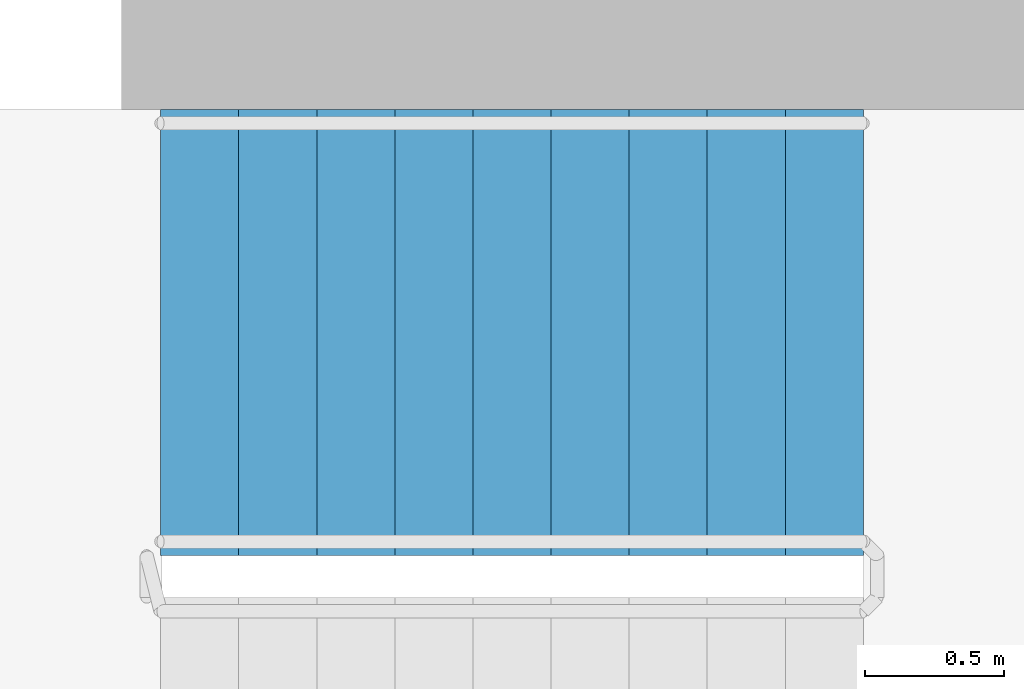
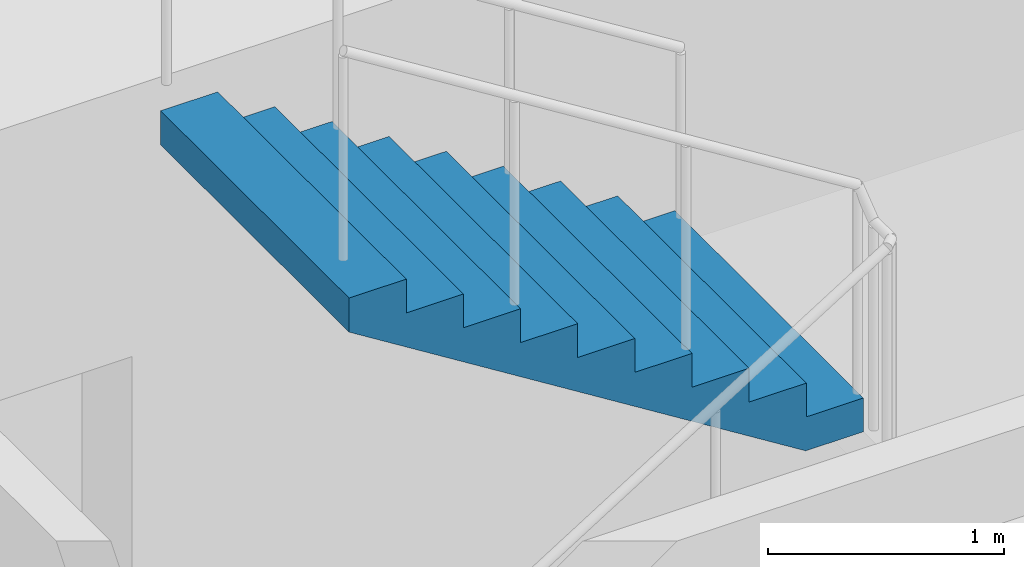
# One storey, part 21 of 25: 1 stair flight, 1 element without a shape of its own.
"""IFC4 building model written with IfcOpenShell, lengths in metres."""

import ifcopenshell
import ifcopenshell.guid

model = None  # the IFC model being written
_history = None  # IfcOwnerHistory: only IFC2X3 demands one
_inside = {}  # id of a spatial element -> (the spatial element, [elements in it])
_under = {}  # id of a project, library or spatial element -> (it, [spatial elements below it])
_declared = {}  # id of a project -> (the project, [libraries it declares])
_typed = {}  # id of a type object -> (the type object, [elements of that type])
_made_of = {}  # id of a material, layer set ... -> (it, [elements and type objects made of it])


def new_model(schema):
    """Start an empty IFC model of exactly this schema.

    Asked for "IFC4X3", IfcOpenShell would pick the latest addendum, in which some entities
    have other attributes; the version numbers below select the first issue.
    IFC2X3 requires an IfcOwnerHistory on every rooted entity: one is made here for all.
    """
    global model, _history
    if schema == "IFC4X3":
        model = ifcopenshell.file(schema_version=(4, 3, 0, 0))
    else:
        model = ifcopenshell.file(schema=schema)
    _inside.clear()
    _under.clear()
    _declared.clear()
    _typed.clear()
    _made_of.clear()
    _history = None
    if model.schema == "IFC2X3":
        org = make("IfcOrganization", Name="unknown")
        user = make(
            "IfcPersonAndOrganization",
            ThePerson=make("IfcPerson", FamilyName="unknown"),
            TheOrganization=org,
        )
        app = make(
            "IfcApplication",
            ApplicationDeveloper=org,
            Version="unknown",
            ApplicationFullName="unknown",
            ApplicationIdentifier="unknown",
        )
        _history = make(
            "IfcOwnerHistory",
            OwningUser=user,
            OwningApplication=app,
            ChangeAction="ADDED",
            CreationDate=0,
        )
    return model


def make(cls, **values):
    """One entity of the class cls with the attributes given. An attribute that is None is left unset."""
    return model.create_entity(
        cls, **{name: value for name, value in values.items() if value is not None}
    )


def rooted(cls, **values):
    """An entity with a GlobalId (a new one), such as an element, a storey or a relation."""
    return make(cls, GlobalId=ifcopenshell.guid.new(), OwnerHistory=_history, **values)


def si_unit(unit_type, name, prefix=None):
    """IfcSIUnit, for example si_unit("LENGTHUNIT", "METRE", prefix="MILLI")."""
    return make("IfcSIUnit", UnitType=unit_type, Prefix=prefix, Name=name)


def assignment(units):
    """IfcUnitAssignment: the units of a project."""
    return None if units is None else make("IfcUnitAssignment", Units=units)


def point(xyz):
    """IfcCartesianPoint."""
    return None if xyz is None else make("IfcCartesianPoint", Coordinates=xyz)


def direction(xyz):
    """IfcDirection."""
    return None if xyz is None else make("IfcDirection", DirectionRatios=xyz)


def frame(location, z_axis=None, x_axis=None):
    """IfcAxis2Placement3D, a coordinate frame: its origin and axes. An axis left out is left unset."""
    return make(
        "IfcAxis2Placement3D",
        Location=point(location),
        Axis=direction(z_axis),
        RefDirection=direction(x_axis),
    )


def origin():
    """The frame at (0, 0, 0) with its axes left unset."""
    return frame((0.0, 0.0, 0.0))


def place(relative_to, where):
    """IfcLocalPlacement: puts the frame where relative to a parent placement (None: the world)."""
    return make(
        "IfcLocalPlacement", PlacementRelTo=relative_to, RelativePlacement=where
    )


def context(
    kind, dimensions, precision=None, world=None, true_north=None, identifier=None
):
    """IfcGeometricRepresentationContext, for example the 3D "Model" context."""
    return make(
        "IfcGeometricRepresentationContext",
        ContextIdentifier=identifier,
        ContextType=kind,
        CoordinateSpaceDimension=dimensions,
        Precision=precision,
        WorldCoordinateSystem=world,
        TrueNorth=true_north,
    )


def subcontext(parent, identifier, kind, view, scale=None):
    """IfcGeometricRepresentationSubContext, for example "Body" below "Model"."""
    return make(
        "IfcGeometricRepresentationSubContext",
        ContextIdentifier=identifier,
        ContextType=kind,
        ParentContext=parent,
        TargetScale=scale,
        TargetView=view,
    )


def project(units=None, contexts=None):
    """IfcProject with its units and contexts."""
    return rooted(
        "IfcProject",
        Name="project",
        RepresentationContexts=contexts,
        UnitsInContext=assignment(units),
    )


def spatial(cls, under=None, at=None, **own):
    """A site, building, storey or space (cls), placed at a placement, below another one or the project."""
    s = rooted(cls, ObjectPlacement=at, **own)
    if under is not None:
        _under.setdefault(under.id(), (under, []))[1].append(s)
    return s


def polyline(points):
    """IfcPolyline through the points."""
    return make("IfcPolyline", Points=[point(p) for p in points])


def outline(outer, holes=None, kind="AREA"):
    """IfcArbitraryClosedProfileDef: a profile drawn as a closed curve; with holes, ...WithVoids."""
    if holes is None:
        return make("IfcArbitraryClosedProfileDef", ProfileType=kind, OuterCurve=outer)
    return make(
        "IfcArbitraryProfileDefWithVoids",
        ProfileType=kind,
        OuterCurve=outer,
        InnerCurves=holes,
    )


def extrude(swept, where, along, depth):
    """IfcExtrudedAreaSolid: the profile swept, set in the frame where, extruded along a direction by depth."""
    return make(
        "IfcExtrudedAreaSolid",
        SweptArea=swept,
        Position=where,
        ExtrudedDirection=direction(along),
        Depth=depth,
    )


def shape(context_of_items, identifier, shape_type, items):
    """IfcShapeRepresentation: the items that make up one representation, for example the "Body"."""
    return make(
        "IfcShapeRepresentation",
        ContextOfItems=context_of_items,
        RepresentationIdentifier=identifier,
        RepresentationType=shape_type,
        Items=items,
    )


def material(Name=None, Category=None):
    """IfcMaterial."""
    return make("IfcMaterial", Name=Name, Category=Category)


def made_of(thing, what):
    """Note that an element or type object is made of a material, layer set ...; save() writes the relation."""
    if what is not None:
        _made_of.setdefault(what.id(), (what, []))[1].append(thing)
    return thing


def type_object(cls, material=None, **own):
    """A type object (cls), such as IfcWallType, which elements share."""
    return made_of(rooted(cls, **own), material)


def element(
    cls,
    number,
    at=None,
    inside=None,
    cuts=None,
    type_object=None,
    material=None,
    context=None,
    identifier="Body",
    shape_type=None,
    held_by="IfcProductDefinitionShape",
    body=None,
    shapes=None,
    **own,
):
    """One element of the class cls, such as IfcWall. Its Tag is "e" and its number.

    at: its placement. inside: the storey or other place that contains it. cuts: it is an
    opening in that element (IfcRelVoidsElement). A single representation is given by context,
    identifier, shape_type and body (its items); several are given by shapes. held_by: the class
    of the entity that holds the representations. save() writes the other relations.
    """
    e = rooted(cls, Tag="e%d" % number, ObjectPlacement=at, **own)
    if body is not None:
        shapes = [shape(context, identifier, shape_type, body)]
    if shapes is not None:
        e.Representation = make(held_by, Representations=shapes)
    if inside is not None:
        _inside.setdefault(inside.id(), (inside, []))[1].append(e)
    if cuts is not None:
        rooted(
            "IfcRelVoidsElement", RelatingBuildingElement=cuts, RelatedOpeningElement=e
        )
    if type_object is not None:
        _typed.setdefault(type_object.id(), (type_object, []))[1].append(e)
    return made_of(e, material)


def aggregate(whole, parts):
    """IfcRelAggregates: a whole, such as a stair, and the parts it consists of."""
    return rooted("IfcRelAggregates", RelatingObject=whole, RelatedObjects=parts)


def save(model, path):
    """Write the relations noted so far, then the file.

    IfcRelAggregates (storeys below a building ...), IfcRelContainedInSpatialStructure (elements
    in a storey), IfcRelDefinesByType, IfcRelAssociatesMaterial and IfcRelDeclares: one each for
    every whole, place, type object, material and project.
    """
    for whole, parts in _under.values():
        aggregate(whole, parts)
    for where, things in _inside.values():
        rooted(
            "IfcRelContainedInSpatialStructure",
            RelatedElements=things,
            RelatingStructure=where,
        )
    for kind, things in _typed.values():
        rooted("IfcRelDefinesByType", RelatedObjects=things, RelatingType=kind)
    for what, things in _made_of.values():
        rooted("IfcRelAssociatesMaterial", RelatedObjects=things, RelatingMaterial=what)
    for by, libraries in _declared.values():
        rooted("IfcRelDeclares", RelatingContext=by, RelatedDefinitions=libraries)
    model.write(path)


model = new_model("IFC4")

# Units and contexts
model_context = context("Model", 3, precision=1e-05, world=origin(), true_north=direction((0.0, 1.0)))
body_context = subcontext(model_context, "Body", "Model", "MODEL_VIEW")
ifc_project = project(units=[si_unit("LENGTHUNIT", "METRE"), si_unit("AREAUNIT", "SQUARE_METRE"), si_unit("VOLUMEUNIT", "CUBIC_METRE"), si_unit("PLANEANGLEUNIT", "RADIAN"), si_unit("MASSUNIT", "GRAM", prefix="KILO")], contexts=[model_context])

# Site, building, storey
site_placement = place(None, origin())
site = spatial("IfcSite", under=ifc_project, at=site_placement, CompositionType="ELEMENT")
building_placement = place(site_placement, origin())
building = spatial("IfcBuilding", under=site, at=building_placement, Name="Orlundy Tower", CompositionType="ELEMENT")
storey_placement = place(building_placement, frame((0.0, 0.0, 217.5)))
storey = spatial("IfcBuildingStorey", under=building, at=storey_placement, Name="L57", CompositionType="ELEMENT", Elevation=217.5)

# Stair, stair flight
ifc_material_1 = material(Name="Concrete C50/60", Category="concrete")
stair_type = type_object("IfcStairType", Name="Exit Stair 20 risers", PredefinedType="HALF_TURN_STAIR", material=ifc_material_1)
stair_placement = place(storey_placement, origin())
stair = element("IfcStair", 1, at=stair_placement, inside=storey, type_object=stair_type, Name="L57 Exit Stair ST-E2", PredefinedType="HALF_TURN_STAIR")
ifc_material_2 = material(Name="Concrete C50/60", Category="concrete")
stair_flight_type = type_object("IfcStairFlightType", Name="Stair Flight 10 risers", PredefinedType="STRAIGHT", material=ifc_material_2)
stair_flight_placement = place(storey_placement, frame((15.659912109375, 10.300048828125, 1.75), z_axis=(0.0, 0.0, 1.0), x_axis=(-1.0, 0.0, 0.0)))
stair_flight = element("IfcStairFlight", 2, at=stair_flight_placement, type_object=stair_flight_type, Name="ST-E2 flight 2", NumberOfRisers=10, NumberOfTreads=9, PredefinedType="STRAIGHT", RiserHeight=0.175, TreadLength=0.28, context=body_context, shape_type="SweptSolid", body=[
    extrude(outline(polyline([(0.0, 0.0), (0.0, 0.175048828125), (0.280029296875, 0.175048828125), (0.280029296875, 0.35009765625), (0.56005859375, 0.35009765625), (0.56005859375, 0.52490234375), (0.840087890625, 0.52490234375), (0.840087890625, 0.699951171875), (1.1201171875, 0.699951171875), (1.1201171875, 0.875), (1.39990234375, 0.875), (1.39990234375, 1.050048828125), (1.679931640625, 1.050048828125), (1.679931640625, 1.22509765625), (1.9599609375, 1.22509765625), (1.9599609375, 1.39990234375), (2.239990234375, 1.39990234375), (2.239990234375, 1.574951171875), (2.52001953125, 1.574951171875), (2.52001953125, 1.75), (2.52001953125, 1.398193359375), (0.28271484375, 0.0), (0.0, 0.0)])), frame((0.0, 0.800048828125, 0.0), z_axis=(0.0, -1.0, 0.0), x_axis=(1.0, 0.0, 0.0)), (0.0, 0.0, 1.0), 1.60009765625),
])
aggregate(stair, [stair_flight])

save(model, "model.ifc")
